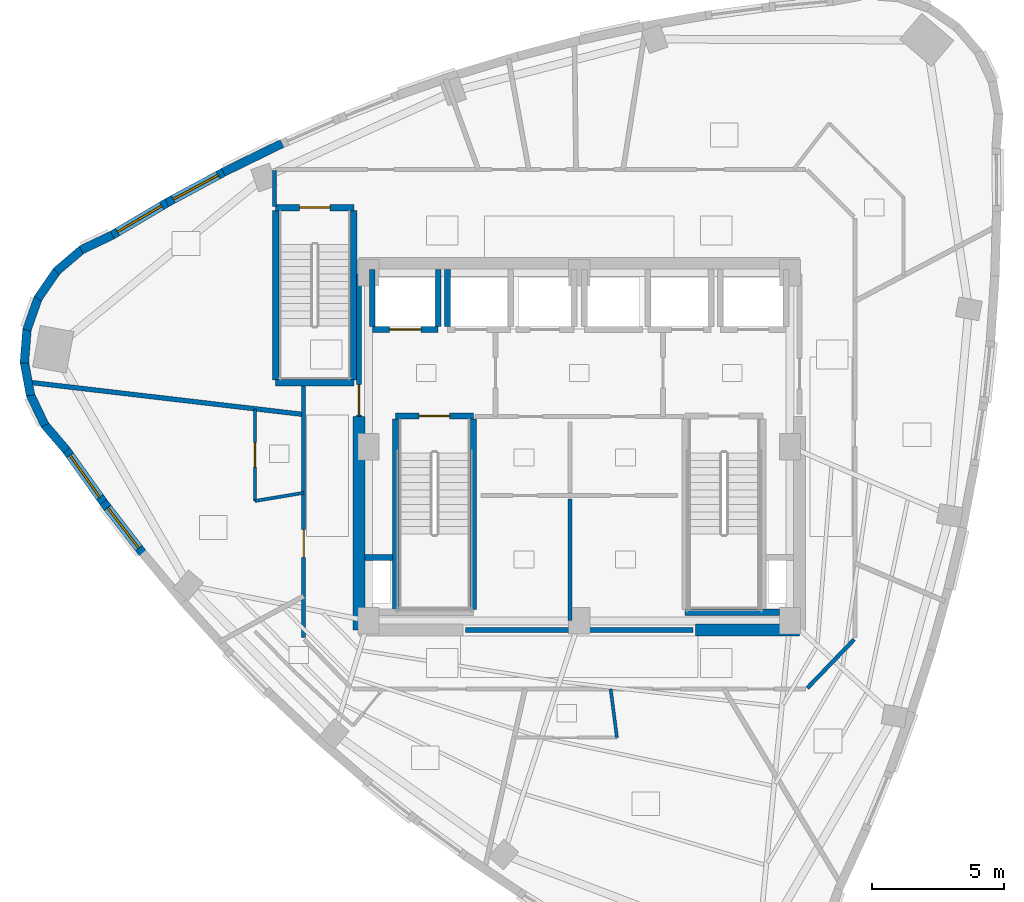
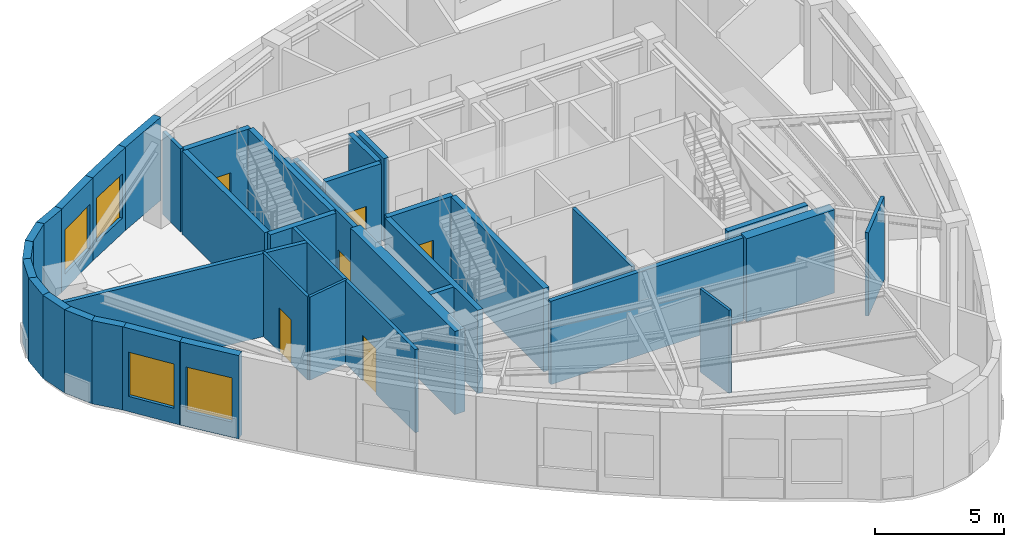
# One storey, part 3 of 9: 38 walls, 6 doors, 4 windows, 10 openings.
"""IFC4 building model written with IfcOpenShell, lengths in metres."""

from ifc_helpers import new_model, si_unit, direction, frame, frame_2d, origin, place, context, subcontext, project, spatial, rectangle, extrude, material, layer, layer_set, type_object, element, fill, save


model = new_model("IFC4")

# Units and contexts
model_context = context("Model", 3, precision=1e-05, world=origin(), true_north=direction((0.0, 1.0)))
body_context = subcontext(model_context, "Body", "Model", "MODEL_VIEW")
ifc_project = project(units=[si_unit("LENGTHUNIT", "METRE"), si_unit("AREAUNIT", "SQUARE_METRE"), si_unit("VOLUMEUNIT", "CUBIC_METRE"), si_unit("PLANEANGLEUNIT", "RADIAN"), si_unit("MASSUNIT", "GRAM", prefix="KILO")], contexts=[model_context])

# Site, building, storey
site_placement = place(None, origin())
site = spatial("IfcSite", under=ifc_project, at=site_placement, CompositionType="ELEMENT")
building_placement = place(site_placement, origin())
building = spatial("IfcBuilding", under=site, at=building_placement, Name="Ndelora Gate Hotel", CompositionType="ELEMENT")
storey_placement = place(building_placement, frame((0.0, 0.0, 260.199951171875)))
storey = spatial("IfcBuildingStorey", under=building, at=storey_placement, Name="L65", CompositionType="ELEMENT", Elevation=260.199951171875)

# Walls
ifc_material_1 = material(Name="Acoustic Double-Stud Gypsum Assembly", Category="gypsum")
ifc_layer_1 = layer(ifc_material_1, 0.179931640625)
ifc_layer_set_1 = layer_set([ifc_layer_1], Name="Acoustic Double-Stud Gypsum Assembly")
wall_type_1 = type_object("IfcWallType", Name="WL-ACOUST-180", PredefinedType="PARTITIONING", material=ifc_layer_set_1)
wall_1_placement = place(storey_placement, frame((-10.449951171875, 1.225830078125, 0.0), z_axis=(0.0, 0.0, 1.0), x_axis=(-0.993188711069, 0.116516883775, 0.0)))
element("IfcWall", 1, at=wall_1_placement, inside=storey, type_object=wall_type_1, Name="L65 Interior Wall IW-3", PredefinedType="PARTITIONING", context=body_context, shape_type="SweptSolid", body=[
    extrude(rectangle(XDim=10.52490234375, YDim=0.179931640625, at=frame_2d((5.262451171875, 0.0))), origin(), (0.0, 0.0, 1.0), 3.949951171875),
])
ifc_material_2 = material(Name="Clay Brick Masonry", Category="masonry")
ifc_layer_2 = layer(ifc_material_2, 0.330078125)
ifc_layer_set_2 = layer_set([ifc_layer_2], Name="Clay Brick Masonry")
wall_type_2 = type_object("IfcWallType", Name="WL-BRICK-330", PredefinedType="SOLIDWALL", material=ifc_layer_set_2)
for number, where, z_axis, x_axis, name in (
    (2, (-18.885498046875, 7.468505859375, 0.0), (0.0, 0.0, 1.0), (0.902555514619, 0.430573504794, 0.0), "L65 Tower Brick Pier-and-Spandrel Wall TWR-1"),
    (3, (-19.834716796875, 6.6494140625, 0.0), (0.0, 0.0, 1.0), (0.760392956728, 0.649463279453, 0.0), "L65 Tower Brick Pier-and-Spandrel Wall TWR-2"),
):
    element("IfcWall", number, at=place(storey_placement, frame(where, z_axis=z_axis, x_axis=x_axis)), inside=storey, type_object=wall_type_2, Name=name, PredefinedType="SOLIDWALL", context=body_context, shape_type="SweptSolid", body=[
        extrude(rectangle(XDim=1.302978515625, YDim=0.330078125, at=frame_2d((0.6513671875, 0.0))), origin(), (0.0, 0.0, 1.0), 3.949951171875),
    ])
for number, where, z_axis, x_axis, name in (
    (4, (-20.539794921875, 5.6123046875, 0.0), (0.0, 0.0, 1.0), (0.566489070283, 0.824069252703, 0.0), "L65 Tower Brick Pier-and-Spandrel Wall TWR-3"),
    (5, (-20.9521484375, 4.427978515625, 0.0), (0.0, 0.0, 1.0), (0.333819400431, 0.942637049927, 0.0), "L65 Tower Brick Pier-and-Spandrel Wall TWR-4"),
):
    element("IfcWall", number, at=place(storey_placement, frame(where, z_axis=z_axis, x_axis=x_axis)), inside=storey, type_object=wall_type_2, Name=name, PredefinedType="SOLIDWALL", context=body_context, shape_type="SweptSolid", body=[
        extrude(rectangle(XDim=1.30322265625, YDim=0.330078125, at=frame_2d((0.651611328125, 0.0))), origin(), (0.0, 0.0, 1.0), 3.949951171875),
    ])
wall_2_placement = place(storey_placement, frame((-21.044189453125, 3.177734375, 0.0), z_axis=(0.0, 0.0, 1.0), x_axis=(0.078516255123, 0.996912833542, 0.0)))
element("IfcWall", 6, at=wall_2_placement, inside=storey, type_object=wall_type_2, Name="L65 Tower Brick Pier-and-Spandrel Wall TWR-5", PredefinedType="SOLIDWALL", context=body_context, shape_type="SweptSolid", body=[
    extrude(rectangle(XDim=1.302734375, YDim=0.330078125, at=frame_2d((0.6513671875, 0.0))), origin(), (0.0, 0.0, 1.0), 3.949951171875),
])
for number, where, z_axis, x_axis, name in (
    (7, (-20.80908203125, 1.94580078125, 0.0), (0.0, 0.0, 1.0), (-0.182263659941, 0.983249692736, 0.0), "L65 Tower Brick Pier-and-Spandrel Wall TWR-6"),
    (8, (-20.263427734375, 0.81689453125, 0.0), (0.0, 0.0, 1.0), (-0.430653300408, 0.90251744296, 0.0), "L65 Tower Brick Pier-and-Spandrel Wall TWR-7"),
):
    element("IfcWall", number, at=place(storey_placement, frame(where, z_axis=z_axis, x_axis=x_axis)), inside=storey, type_object=wall_type_2, Name=name, PredefinedType="SOLIDWALL", context=body_context, shape_type="SweptSolid", body=[
        extrude(rectangle(XDim=1.30322265625, YDim=0.330078125, at=frame_2d((0.651611328125, 0.0))), origin(), (0.0, 0.0, 1.0), 3.949951171875),
    ])
wall_3_placement = place(storey_placement, frame((-19.4443359375, -0.13232421875, 0.0), z_axis=(0.0, 0.0, 1.0), x_axis=(-0.649463279453, 0.760392956728, 0.0)))
element("IfcWall", 9, at=wall_3_placement, inside=storey, type_object=wall_type_2, Name="L65 Tower Brick Pier-and-Spandrel Wall TWR-8", PredefinedType="SOLIDWALL", context=body_context, shape_type="SweptSolid", body=[
    extrude(rectangle(XDim=1.302978515625, YDim=0.330078125, at=frame_2d((0.6513671875, 0.0))), origin(), (0.0, 0.0, 1.0), 3.949951171875),
])

# Wall, opening, window
wall_4_placement = place(storey_placement, frame((-18.02197265625, -2.135498046875, 0.0), z_axis=(0.0, 0.0, 1.0), x_axis=(-0.579707768808, 0.814824461331, 0.0)))
wall_4 = element("IfcWall", 10, at=wall_4_placement, inside=storey, type_object=wall_type_2, Name="L65 Tower Brick Pier-and-Spandrel Wall TWR-9", PredefinedType="SOLIDWALL", context=body_context, shape_type="SweptSolid", body=[
    extrude(rectangle(XDim=2.506591796875, YDim=0.330078125, at=frame_2d((1.25341796875, 0.0))), origin(), (0.0, 0.0, 1.0), 3.949951171875),
])
opening_1_placement = place(wall_4_placement, frame((0.2783203125, 0.0, 0.719970703125)))
opening_1 = element("IfcOpeningElement", 11, at=opening_1_placement, cuts=wall_4, Name="Opening W08", PredefinedType="OPENING", context=body_context, shape_type="SweptSolid", body=[
    extrude(rectangle(XDim=1.949951171875, YDim=2.10009765625, at=frame_2d((0.97509765625, 1.050048828125))), frame((0.0, 0.175048828125, 0.0), z_axis=(0.0, -1.0, 0.0), x_axis=(1.0, 0.0, 0.0)), (0.0, 0.0, 1.0), 0.35009765625),
])
ifc_material_3 = material(Name="Insulated Low-E Double Glazing in Bronze Aluminium Frame", Category="aluminium")
window_type = type_object("IfcWindowType", Name="WN-PENT-2250", PartitioningType="SINGLE_PANEL", PredefinedType="WINDOW", material=ifc_material_3)
window_1_placement = place(opening_1_placement, origin())
window_1 = element("IfcWindow", 12, at=window_1_placement, inside=storey, type_object=window_type, Name="L65 Deep-Set Brick-Pier Window W08", OverallHeight=2.10009765625, OverallWidth=1.949951171875, PartitioningType="SINGLE_PANEL", PredefinedType="WINDOW", context=body_context, shape_type="SweptSolid", body=[
    extrude(rectangle(XDim=1.949951171875, YDim=2.10009765625, at=frame_2d((0.97509765625, 1.050048828125))), frame((0.0, 0.030029296875, 0.0), z_axis=(0.0, -1.0, 0.0), x_axis=(1.0, 0.0, 0.0)), (0.0, 0.0, 1.0), 0.06005859375),
])
fill(opening_1, window_1)

wall_5_placement = place(storey_placement, frame((-16.531982421875, -4.064453125, 0.0), z_axis=(0.0, 0.0, 1.0), x_axis=(-0.610966936387, 0.791656113879, 0.0)))
wall_5 = element("IfcWall", 13, at=wall_5_placement, inside=storey, type_object=wall_type_2, Name="L65 Tower Brick Pier-and-Spandrel Wall TWR-10", PredefinedType="SOLIDWALL", context=body_context, shape_type="SweptSolid", body=[
    extrude(rectangle(XDim=2.487548828125, YDim=0.330078125, at=frame_2d((1.24365234375, 0.0))), origin(), (0.0, 0.0, 1.0), 3.949951171875),
])
opening_2_placement = place(wall_5_placement, frame((0.278564453125, 0.0, 0.719970703125)))
opening_2 = element("IfcOpeningElement", 14, at=opening_2_placement, cuts=wall_5, Name="Opening W08", PredefinedType="OPENING", context=body_context, shape_type="SweptSolid", body=[
    extrude(rectangle(XDim=1.929931640625, YDim=2.10009765625, at=frame_2d((0.96484375, 1.050048828125))), frame((0.0, 0.175048828125, 0.0), z_axis=(0.0, -1.0, 0.0), x_axis=(1.0, 0.0, 0.0)), (0.0, 0.0, 1.0), 0.35009765625),
])
window_2_placement = place(opening_2_placement, origin())
window_2 = element("IfcWindow", 15, at=window_2_placement, inside=storey, type_object=window_type, Name="L65 Deep-Set Brick-Pier Window W08", OverallHeight=2.10009765625, OverallWidth=1.929931640625, PartitioningType="SINGLE_PANEL", PredefinedType="WINDOW", context=body_context, shape_type="SweptSolid", body=[
    extrude(rectangle(XDim=1.929931640625, YDim=2.10009765625, at=frame_2d((0.96484375, 1.050048828125))), frame((0.0, 0.030029296875, 0.0), z_axis=(0.0, -1.0, 0.0), x_axis=(1.0, 0.0, 0.0)), (0.0, 0.0, 1.0), 0.06005859375),
])
fill(opening_2, window_2)

# Wall
wall_6_placement = place(storey_placement, frame((-13.494140625, 10.414306640625, 0.0), z_axis=(0.0, 0.0, 1.0), x_axis=(0.898187681561, 0.43961220262, 0.0)))
element("IfcWall", 16, at=wall_6_placement, inside=storey, type_object=wall_type_2, Name="L65 Tower Brick Pier-and-Spandrel Wall TWR-58", PredefinedType="SOLIDWALL", context=body_context, shape_type="SweptSolid", body=[
    extrude(rectangle(XDim=2.471923828125, YDim=0.330078125, at=frame_2d((1.23583984375, 0.0))), origin(), (0.0, 0.0, 1.0), 3.949951171875),
])

# Wall, opening, window
wall_7_placement = place(storey_placement, frame((-15.638916015625, 9.25634765625, 0.0), z_axis=(0.0, 0.0, 1.0), x_axis=(0.880117873334, 0.474755230659, 0.0)))
wall_7 = element("IfcWall", 17, at=wall_7_placement, inside=storey, type_object=wall_type_2, Name="L65 Tower Brick Pier-and-Spandrel Wall TWR-59", PredefinedType="SOLIDWALL", context=body_context, shape_type="SweptSolid", body=[
    extrude(rectangle(XDim=2.4873046875, YDim=0.330078125, at=frame_2d((1.24365234375, 0.0))), origin(), (0.0, 0.0, 1.0), 3.949951171875),
])
opening_3_placement = place(wall_7_placement, frame((0.27880859375, 0.0, 0.719970703125)))
opening_3 = element("IfcOpeningElement", 18, at=opening_3_placement, cuts=wall_7, Name="Opening W08", PredefinedType="OPENING", context=body_context, shape_type="SweptSolid", body=[
    extrude(rectangle(XDim=1.929931640625, YDim=2.10009765625, at=frame_2d((0.96484375, 1.050048828125))), frame((0.0, 0.175048828125, 0.0), z_axis=(0.0, -1.0, 0.0), x_axis=(1.0, 0.0, 0.0)), (0.0, 0.0, 1.0), 0.35009765625),
])
window_3_placement = place(opening_3_placement, origin())
window_3 = element("IfcWindow", 19, at=window_3_placement, inside=storey, type_object=window_type, Name="L65 Deep-Set Brick-Pier Window W08", OverallHeight=2.10009765625, OverallWidth=1.929931640625, PartitioningType="SINGLE_PANEL", PredefinedType="WINDOW", context=body_context, shape_type="SweptSolid", body=[
    extrude(rectangle(XDim=1.929931640625, YDim=2.10009765625, at=frame_2d((0.96484375, 1.050048828125))), frame((0.0, 0.030029296875, 0.0), z_axis=(0.0, -1.0, 0.0), x_axis=(1.0, 0.0, 0.0)), (0.0, 0.0, 1.0), 0.06005859375),
])
fill(opening_3, window_3)

wall_8_placement = place(storey_placement, frame((-17.75341796875, 8.006103515625, 0.0), z_axis=(0.0, 0.0, 1.0), x_axis=(0.860971125789, 0.508653831754, 0.0)))
wall_8 = element("IfcWall", 20, at=wall_8_placement, inside=storey, type_object=wall_type_2, Name="L65 Tower Brick Pier-and-Spandrel Wall TWR-60", PredefinedType="SOLIDWALL", context=body_context, shape_type="SweptSolid", body=[
    extrude(rectangle(XDim=2.50634765625, YDim=0.330078125, at=frame_2d((1.253173828125, 0.0))), origin(), (0.0, 0.0, 1.0), 3.949951171875),
])
opening_4_placement = place(wall_8_placement, frame((0.2783203125, 0.0, 0.719970703125)))
opening_4 = element("IfcOpeningElement", 21, at=opening_4_placement, cuts=wall_8, Name="Opening W08", PredefinedType="OPENING", context=body_context, shape_type="SweptSolid", body=[
    extrude(rectangle(XDim=1.949951171875, YDim=2.10009765625, at=frame_2d((0.97509765625, 1.050048828125))), frame((0.0, 0.175048828125, 0.0), z_axis=(0.0, -1.0, 0.0), x_axis=(1.0, 0.0, 0.0)), (0.0, 0.0, 1.0), 0.35009765625),
])
window_4_placement = place(opening_4_placement, origin())
window_4 = element("IfcWindow", 22, at=window_4_placement, inside=storey, type_object=window_type, Name="L65 Deep-Set Brick-Pier Window W08", OverallHeight=2.10009765625, OverallWidth=1.949951171875, PartitioningType="SINGLE_PANEL", PredefinedType="WINDOW", context=body_context, shape_type="SweptSolid", body=[
    extrude(rectangle(XDim=1.949951171875, YDim=2.10009765625, at=frame_2d((0.97509765625, 1.050048828125))), frame((0.0, 0.030029296875, 0.0), z_axis=(0.0, -1.0, 0.0), x_axis=(1.0, 0.0, 0.0)), (0.0, 0.0, 1.0), 0.06005859375),
])
fill(opening_4, window_4)

# Walls
ifc_material_4 = material(Name="Concrete C50/60", Category="concrete")
ifc_layer_3 = layer(ifc_material_4, 0.449951171875)
ifc_layer_set_3 = layer_set([ifc_layer_3], Name="Concrete C50/60")
wall_type_3 = type_object("IfcWallType", Name="WL-CORE-450", PredefinedType="SHEAR", material=ifc_layer_set_3)
wall_9_placement = place(storey_placement, frame((4.39990234375, -6.949951171875, 0.0), z_axis=(0.0, 0.0, 1.0), x_axis=(1.0, 0.0, 0.0)))
element("IfcWall", 23, at=wall_9_placement, inside=storey, type_object=wall_type_3, Name="L65 Core Shear Wall S-E", PredefinedType="SHEAR", context=body_context, shape_type="SweptSolid", body=[
    extrude(rectangle(XDim=3.9501953125, YDim=0.449951171875, at=frame_2d((1.97509765625, 0.0))), origin(), (0.0, 0.0, 1.0), 3.949951171875),
])
wall_10_placement = place(storey_placement, frame((-8.35009765625, -6.949951171875, 0.0), z_axis=(0.0, 0.0, 1.0), x_axis=(0.0, 1.0, 0.0)))
element("IfcWall", 24, at=wall_10_placement, inside=storey, type_object=wall_type_3, Name="L65 Core Shear Wall W", PredefinedType="SHEAR", context=body_context, shape_type="SweptSolid", body=[
    extrude(rectangle(XDim=8.099853515625, YDim=0.449951171875, at=frame_2d((4.0498046875, 0.0))), origin(), (0.0, 0.0, 1.0), 3.949951171875),
])

# Wall, opening, door
ifc_material_5 = material(Name="Concrete C40/50", Category="concrete")
ifc_layer_4 = layer(ifc_material_5, 0.199951171875)
ifc_layer_set_4 = layer_set([ifc_layer_4], Name="Concrete C40/50")
wall_type_4 = type_object("IfcWallType", Name="WL-FIRE-200", PredefinedType="PARTITIONING", material=ifc_layer_set_4)
wall_11_placement = place(storey_placement, frame((-8.35009765625, 1.14990234375, 0.0), z_axis=(0.0, 0.0, 1.0), x_axis=(0.0, 1.0, 0.0)))
wall_11 = element("IfcWall", 25, at=wall_11_placement, inside=storey, type_object=wall_type_4, Name="L65 Interior Wall IW-2", PredefinedType="PARTITIONING", context=body_context, shape_type="SweptSolid", body=[
    extrude(rectangle(XDim=5.400146484375, YDim=0.199951171875, at=frame_2d((2.7001953125, 0.0))), origin(), (0.0, 0.0, 1.0), 3.949951171875),
])
opening_5_placement = place(wall_11_placement, frame((0.06005859375, 0.0, 0.0)))
opening_5 = element("IfcOpeningElement", 26, at=opening_5_placement, cuts=wall_11, Name="Opening FD1", PredefinedType="OPENING", context=body_context, shape_type="SweptSolid", body=[
    extrude(rectangle(XDim=1.14990234375, YDim=2.14990234375, at=frame_2d((0.574951171875, 1.074951171875))), frame((0.0, 0.10986328125, 0.0), z_axis=(0.0, -1.0, 0.0), x_axis=(1.0, 0.0, 0.0)), (0.0, 0.0, 1.0), 0.219970703125),
])
ifc_material_6 = material(Name="Fire-Rated Timber-Veneer Steel Core", Category="steel")
door_type_1 = type_object("IfcDoorType", Name="DR-FD60", OperationType="SINGLE_SWING_LEFT", PredefinedType="DOOR", material=ifc_material_6)
door_1_placement = place(opening_5_placement, origin())
door_1 = element("IfcDoor", 27, at=door_1_placement, inside=storey, type_object=door_type_1, Name="L65 Firefighting Lobby West Corridor Door", OperationType="SINGLE_SWING_LEFT", OverallHeight=2.14990234375, OverallWidth=1.14990234375, PredefinedType="DOOR", context=body_context, shape_type="SweptSolid", body=[
    extrude(rectangle(XDim=1.14990234375, YDim=2.14990234375, at=frame_2d((0.574951171875, 1.074951171875))), frame((0.0, 0.02490234375, 0.0), z_axis=(0.0, -1.0, 0.0), x_axis=(1.0, 0.0, 0.0)), (0.0, 0.0, 1.0), 0.050048828125),
])
fill(opening_5, door_1)

# Walls
wall_12_placement = place(storey_placement, frame((-4.320068359375, -6.949951171875, 0.0), z_axis=(0.0, 0.0, 1.0), x_axis=(1.0, 0.0, 0.0)))
element("IfcWall", 28, at=wall_12_placement, inside=storey, type_object=wall_type_4, Name="L65 Interior Wall IW-2", PredefinedType="PARTITIONING", context=body_context, shape_type="SweptSolid", body=[
    extrude(rectangle(XDim=8.64013671875, YDim=0.199951171875, at=frame_2d((4.320068359375, 0.0))), origin(), (0.0, 0.0, 1.0), 3.949951171875),
])
ifc_material_7 = material(Name="Fire-Rated Gypsum Stud Partition", Category="gypsum")
ifc_layer_5 = layer(ifc_material_7, 0.14990234375)
ifc_layer_set_5 = layer_set([ifc_layer_5], Name="Fire-Rated Gypsum Stud Partition")
wall_type_5 = type_object("IfcWallType", Name="WL-PART-150", PredefinedType="PARTITIONING", material=ifc_layer_set_5)
wall_13_placement = place(storey_placement, frame((-0.35009765625, -6.580078125, 0.0), z_axis=(0.0, 0.0, 1.0), x_axis=(0.0, 1.0, 0.0)))
element("IfcWall", 29, at=wall_13_placement, inside=storey, type_object=wall_type_5, Name="L65 Interior Wall IW-5", PredefinedType="PARTITIONING", context=body_context, shape_type="SweptSolid", body=[
    extrude(rectangle(XDim=4.610107421875, YDim=0.14990234375, at=frame_2d((2.30517578125, 0.0))), origin(), (0.0, 0.0, 1.0), 3.949951171875),
])
wall_14_placement = place(storey_placement, frame((10.42236328125, -7.308837890625, 0.0), z_axis=(0.0, 0.0, 1.0), x_axis=(-0.693764562202, -0.720201869085, 0.0)))
element("IfcWall", 30, at=wall_14_placement, inside=storey, type_object=wall_type_5, Name="L65 Interior Wall IW-5", PredefinedType="PARTITIONING", context=body_context, shape_type="SweptSolid", body=[
    extrude(rectangle(XDim=2.55810546875, YDim=0.14990234375, at=frame_2d((1.279052734375, 0.0))), origin(), (0.0, 0.0, 1.0), 3.949951171875),
])
wall_15_placement = place(storey_placement, frame((-11.550048828125, 9.110107421875, 0.0), z_axis=(0.0, 0.0, 1.0), x_axis=(0.0, 1.0, 0.0)))
element("IfcWall", 31, at=wall_15_placement, inside=storey, type_object=wall_type_5, Name="L65 Interior Wall IW-5", PredefinedType="PARTITIONING", context=body_context, shape_type="SweptSolid", body=[
    extrude(rectangle(XDim=1.369873046875, YDim=0.14990234375, at=frame_2d((0.68505859375, 0.0))), origin(), (0.0, 0.0, 1.0), 3.949951171875),
])

# Wall, opening, door
wall_16_placement = place(storey_placement, frame((-10.449951171875, -7.239990234375, 0.0), z_axis=(0.0, 0.0, 1.0), x_axis=(0.0, 1.0, 0.0)))
wall_16 = element("IfcWall", 32, at=wall_16_placement, inside=storey, type_object=wall_type_5, Name="L65 Interior Wall IW-5", PredefinedType="PARTITIONING", context=body_context, shape_type="SweptSolid", body=[
    extrude(rectangle(XDim=9.6298828125, YDim=0.14990234375, at=frame_2d((4.81494140625, 0.0))), origin(), (0.0, 0.0, 1.0), 3.949951171875),
])
opening_6_placement = place(wall_16_placement, frame((3.043212890625, 0.0, 0.0)))
opening_6 = element("IfcOpeningElement", 33, at=opening_6_placement, cuts=wall_16, Name="Opening D07", PredefinedType="OPENING", context=body_context, shape_type="SweptSolid", body=[
    extrude(rectangle(XDim=1.06005859375, YDim=2.14990234375, at=frame_2d((0.530029296875, 1.074951171875))), frame((0.0, 0.0849609375, 0.0), z_axis=(0.0, -1.0, 0.0), x_axis=(1.0, 0.0, 0.0)), (0.0, 0.0, 1.0), 0.169921875),
])
ifc_material_8 = material(Name="Diplomatic Suite Acoustic Entrance Door", Category="wood")
door_type_2 = type_object("IfcDoorType", Name="DR-SUITE-1060", OperationType="SINGLE_SWING_LEFT", PredefinedType="DOOR", material=ifc_material_8)
door_2_placement = place(opening_6_placement, origin())
door_2 = element("IfcDoor", 34, at=door_2_placement, inside=storey, type_object=door_type_2, Name="L65 Crown Summit Suite 6801 Entrance Door", OperationType="SINGLE_SWING_LEFT", OverallHeight=2.14990234375, OverallWidth=1.06005859375, PredefinedType="DOOR", context=body_context, shape_type="SweptSolid", body=[
    extrude(rectangle(XDim=1.06005859375, YDim=2.14990234375, at=frame_2d((0.530029296875, 1.074951171875))), frame((0.0, 0.02490234375, 0.0), z_axis=(0.0, -1.0, 0.0), x_axis=(1.0, 0.0, 0.0)), (0.0, 0.0, 1.0), 0.050048828125),
])
fill(opening_6, door_2)

# Wall
ifc_layer_6 = layer(ifc_material_5, 0.219970703125)
ifc_layer_set_6 = layer_set([ifc_layer_6], Name="Concrete C40/50")
wall_type_6 = type_object("IfcWallType", Name="WL-SHAFT-220", PredefinedType="PARTITIONING", material=ifc_layer_set_6)
wall_17_placement = place(storey_placement, frame((-8.125, -4.199951171875, 0.0), z_axis=(0.0, 0.0, 1.0), x_axis=(1.0, 0.0, 0.0)))
element("IfcWall", 35, at=wall_17_placement, inside=storey, type_object=wall_type_6, Name="L65 Interior Wall IW-1", PredefinedType="PARTITIONING", context=body_context, shape_type="SweptSolid", body=[
    extrude(rectangle(XDim=1.034912109375, YDim=0.219970703125, at=frame_2d((0.517578125, 0.0))), origin(), (0.0, 0.0, 1.0), 3.949951171875),
])

# Wall, opening, door
wall_18_placement = place(storey_placement, frame((-7.85009765625, 4.449951171875, 0.0), z_axis=(0.0, 0.0, 1.0), x_axis=(1.0, 0.0, 0.0)))
wall_18 = element("IfcWall", 36, at=wall_18_placement, inside=storey, type_object=wall_type_6, Name="L65 Interior Wall IW-1", PredefinedType="PARTITIONING", context=body_context, shape_type="SweptSolid", body=[
    extrude(rectangle(XDim=2.5, YDim=0.219970703125, at=frame_2d((1.25, 0.0))), origin(), (0.0, 0.0, 1.0), 3.949951171875),
])
opening_7_placement = place(wall_18_placement, frame((0.659912109375, 0.0, 0.0)))
opening_7 = element("IfcOpeningElement", 37, at=opening_7_placement, cuts=wall_18, Name="Opening LD5", PredefinedType="OPENING", context=body_context, shape_type="SweptSolid", body=[
    extrude(rectangle(XDim=1.179931640625, YDim=2.14990234375, at=frame_2d((0.58984375, 1.074951171875))), frame((0.0, 0.1201171875, 0.0), z_axis=(0.0, -1.0, 0.0), x_axis=(1.0, 0.0, 0.0)), (0.0, 0.0, 1.0), 0.239990234375),
])
ifc_material_9 = material(Name="Firefighting Lift Stainless Sliding Landing Door", Category="metal")
door_type_3 = type_object("IfcDoorType", Name="DR-LD5", OperationType="DOUBLE_DOOR_SLIDING", PredefinedType="DOOR", material=ifc_material_9)
door_3_placement = place(opening_7_placement, origin())
door_3 = element("IfcDoor", 38, at=door_3_placement, inside=storey, type_object=door_type_3, Name="L65 Lift Landing Sliding Door FFL1", OperationType="DOUBLE_DOOR_SLIDING", OverallHeight=2.14990234375, OverallWidth=1.179931640625, PredefinedType="DOOR", context=body_context, shape_type="SweptSolid", body=[
    extrude(rectangle(XDim=1.179931640625, YDim=2.14990234375, at=frame_2d((0.58984375, 1.074951171875))), frame((0.0, 0.02490234375, 0.0), z_axis=(0.0, -1.0, 0.0), x_axis=(1.0, 0.0, 0.0)), (0.0, 0.0, 1.0), 0.050048828125),
])
fill(opening_7, door_3)

# Walls
wall_19_placement = place(storey_placement, frame((-7.85009765625, 4.570068359375, 0.0), z_axis=(0.0, 0.0, 1.0), x_axis=(0.0, 1.0, 0.0)))
element("IfcWall", 39, at=wall_19_placement, inside=storey, type_object=wall_type_6, Name="L65 Interior Wall IW-1", PredefinedType="PARTITIONING", context=body_context, shape_type="SweptSolid", body=[
    extrude(rectangle(XDim=2.155029296875, YDim=0.219970703125, at=frame_2d((1.07763671875, 0.0))), origin(), (0.0, 0.0, 1.0), 3.630126953125),
])
for number, where, z_axis, x_axis, name in (
    (40, (-5.35009765625, 4.570068359375, 0.0), (0.0, 0.0, 1.0), (0.0, 1.0, 0.0), "L65 Interior Wall IW-1"),
    (41, (-5.0, 4.570068359375, 0.0), (0.0, 0.0, 1.0), (0.0, 1.0, 0.0), "L65 Interior Wall IW-1"),
):
    element("IfcWall", number, at=place(storey_placement, frame(where, z_axis=z_axis, x_axis=x_axis)), inside=storey, type_object=wall_type_6, Name=name, PredefinedType="PARTITIONING", context=body_context, shape_type="SweptSolid", body=[
        extrude(rectangle(XDim=2.155029296875, YDim=0.219970703125, at=frame_2d((1.07763671875, 0.0))), origin(), (0.0, 0.0, 1.0), 3.949951171875),
    ])
ifc_layer_7 = layer(ifc_material_4, 0.239990234375)
ifc_layer_set_7 = layer_set([ifc_layer_7], Name="Concrete C50/60")
wall_type_7 = type_object("IfcWallType", Name="WL-STAIR-240", PredefinedType="SHEAR", material=ifc_layer_set_7)
for number, where, z_axis, x_axis, name in (
    (42, (-6.969970703125, -6.159912109375, 0.0), (0.0, 0.0, 1.0), (0.0, 1.0, 0.0), "L65 Stair Core Shear Wall SW-ST"),
    (43, (-4.010009765625, -6.159912109375, 0.0), (0.0, 0.0, 1.0), (0.0, 1.0, 0.0), "L65 Stair Core Shear Wall SW-ST"),
):
    element("IfcWall", number, at=place(storey_placement, frame(where, z_axis=z_axis, x_axis=x_axis)), inside=storey, type_object=wall_type_7, Name=name, PredefinedType="SHEAR", context=body_context, shape_type="SweptSolid", body=[
        extrude(rectangle(XDim=7.219970703125, YDim=0.239990234375, at=frame_2d((3.60986328125, 0.0))), origin(), (0.0, 0.0, 1.0), 3.949951171875),
    ])

# Wall, opening, door
wall_20_placement = place(storey_placement, frame((-6.969970703125, 1.169921875, 0.0), z_axis=(0.0, 0.0, 1.0), x_axis=(1.0, 0.0, 0.0)))
wall_20 = element("IfcWall", 44, at=wall_20_placement, inside=storey, type_object=wall_type_7, Name="L65 Stair Core Shear Wall SW-ST", PredefinedType="SHEAR", context=body_context, shape_type="SweptSolid", body=[
    extrude(rectangle(XDim=2.9599609375, YDim=0.239990234375, at=frame_2d((1.47998046875, 0.0))), origin(), (0.0, 0.0, 1.0), 3.949951171875),
])
opening_8_placement = place(wall_20_placement, frame((0.89990234375, 0.0, 0.0)))
opening_8 = element("IfcOpeningElement", 45, at=opening_8_placement, cuts=wall_20, Name="Opening FD1", PredefinedType="OPENING", context=body_context, shape_type="SweptSolid", body=[
    extrude(rectangle(XDim=1.14990234375, YDim=2.14990234375, at=frame_2d((0.574951171875, 1.074951171875))), frame((0.0, 0.1298828125, 0.0), z_axis=(0.0, -1.0, 0.0), x_axis=(1.0, 0.0, 0.0)), (0.0, 0.0, 1.0), 0.260009765625),
])
door_4_placement = place(opening_8_placement, origin())
door_4 = element("IfcDoor", 46, at=door_4_placement, inside=storey, type_object=door_type_1, Name="L65 Exit Stair ST4 Door", OperationType="SINGLE_SWING_LEFT", OverallHeight=2.14990234375, OverallWidth=1.14990234375, PredefinedType="DOOR", context=body_context, shape_type="SweptSolid", body=[
    extrude(rectangle(XDim=1.14990234375, YDim=2.14990234375, at=frame_2d((0.574951171875, 1.074951171875))), frame((0.0, 0.02490234375, 0.0), z_axis=(0.0, -1.0, 0.0), x_axis=(1.0, 0.0, 0.0)), (0.0, 0.0, 1.0), 0.050048828125),
])
fill(opening_8, door_4)

# Walls
wall_21_placement = place(storey_placement, frame((4.010009765625, -6.27001953125, 0.0), z_axis=(0.0, 0.0, 1.0), x_axis=(1.0, 0.0, 0.0)))
element("IfcWall", 47, at=wall_21_placement, inside=storey, type_object=wall_type_7, Name="L65 Stair Core Shear Wall SW-ST", PredefinedType="SHEAR", context=body_context, shape_type="SweptSolid", body=[
    extrude(rectangle(XDim=3.590087890625, YDim=0.239990234375, at=frame_2d((1.794921875, 0.0))), origin(), (0.0, 0.0, 1.0), 3.949951171875),
])
wall_22_placement = place(storey_placement, frame((-11.510009765625, 2.5400390625, 0.0), z_axis=(0.0, 0.0, 1.0), x_axis=(0.0, 1.0, 0.0)))
element("IfcWall", 48, at=wall_22_placement, inside=storey, type_object=wall_type_7, Name="L65 Stair Core Shear Wall SW-ST", PredefinedType="SHEAR", context=body_context, shape_type="SweptSolid", body=[
    extrude(rectangle(XDim=6.419921875, YDim=0.239990234375, at=frame_2d((3.2099609375, 0.0))), origin(), (0.0, 0.0, 1.0), 3.949951171875),
])
wall_23_placement = place(storey_placement, frame((-11.510009765625, 2.429931640625, 0.0), z_axis=(0.0, 0.0, 1.0), x_axis=(1.0, 0.0, 0.0)))
element("IfcWall", 49, at=wall_23_placement, inside=storey, type_object=wall_type_7, Name="L65 Stair Core Shear Wall SW-ST", PredefinedType="SHEAR", context=body_context, shape_type="SweptSolid", body=[
    extrude(rectangle(XDim=2.9599609375, YDim=0.239990234375, at=frame_2d((1.47998046875, 0.0))), origin(), (0.0, 0.0, 1.0), 3.949951171875),
])
wall_24_placement = place(storey_placement, frame((-8.550048828125, 2.5400390625, 0.0), z_axis=(0.0, 0.0, 1.0), x_axis=(0.0, 1.0, 0.0)))
element("IfcWall", 50, at=wall_24_placement, inside=storey, type_object=wall_type_7, Name="L65 Stair Core Shear Wall SW-ST", PredefinedType="SHEAR", context=body_context, shape_type="SweptSolid", body=[
    extrude(rectangle(XDim=6.419921875, YDim=0.239990234375, at=frame_2d((3.2099609375, 0.0))), origin(), (0.0, 0.0, 1.0), 3.949951171875),
])

# Wall, opening, door
wall_25_placement = place(storey_placement, frame((-8.550048828125, 9.070068359375, 0.0), z_axis=(0.0, 0.0, 1.0), x_axis=(-1.0, 0.0, 0.0)))
wall_25 = element("IfcWall", 51, at=wall_25_placement, inside=storey, type_object=wall_type_7, Name="L65 Stair Core Shear Wall SW-ST", PredefinedType="SHEAR", context=body_context, shape_type="SweptSolid", body=[
    extrude(rectangle(XDim=2.9599609375, YDim=0.239990234375, at=frame_2d((1.47998046875, 0.0))), origin(), (0.0, 0.0, 1.0), 3.949951171875),
])
opening_9_placement = place(wall_25_placement, frame((0.89990234375, 0.0, 0.0)))
opening_9 = element("IfcOpeningElement", 52, at=opening_9_placement, cuts=wall_25, Name="Opening FD1", PredefinedType="OPENING", context=body_context, shape_type="SweptSolid", body=[
    extrude(rectangle(XDim=1.14990234375, YDim=2.14990234375, at=frame_2d((0.574951171875, 1.074951171875))), frame((0.0, 0.1298828125, 0.0), z_axis=(0.0, -1.0, 0.0), x_axis=(1.0, 0.0, 0.0)), (0.0, 0.0, 1.0), 0.260009765625),
])
door_5_placement = place(opening_9_placement, origin())
door_5 = element("IfcDoor", 53, at=door_5_placement, inside=storey, type_object=door_type_1, Name="L65 Stair ST6 Door", OperationType="SINGLE_SWING_LEFT", OverallHeight=2.14990234375, OverallWidth=1.14990234375, PredefinedType="DOOR", context=body_context, shape_type="SweptSolid", body=[
    extrude(rectangle(XDim=1.14990234375, YDim=2.14990234375, at=frame_2d((0.574951171875, 1.074951171875))), frame((0.0, 0.02490234375, 0.0), z_axis=(0.0, -1.0, 0.0), x_axis=(1.0, 0.0, 0.0)), (0.0, 0.0, 1.0), 0.050048828125),
])
fill(opening_9, door_5)

# Wall
ifc_material_10 = material(Name="Moisture-Resistant Bathroom Tile Partition", Category="gypsum")
ifc_layer_8 = layer(ifc_material_10, 0.1201171875)
ifc_layer_set_8 = layer_set([ifc_layer_8], Name="Moisture-Resistant Bathroom Tile Partition")
wall_type_8 = type_object("IfcWallType", Name="WL-WET-120", PredefinedType="PARTITIONING", material=ifc_layer_set_8)
wall_26_placement = place(storey_placement, frame((-12.300048828125, -2.053955078125, 0.0), z_axis=(0.0, 0.0, 1.0), x_axis=(0.986351677294, 0.164652266004, 0.0)))
element("IfcWall", 54, at=wall_26_placement, inside=storey, type_object=wall_type_8, Name="L65 Interior Wall IW-7", PredefinedType="PARTITIONING", context=body_context, shape_type="SweptSolid", body=[
    extrude(rectangle(XDim=1.875732421875, YDim=0.1201171875, at=frame_2d((0.93798828125, 0.0))), origin(), (0.0, 0.0, 1.0), 3.949951171875),
])

# Wall, opening, door
wall_27_placement = place(storey_placement, frame((-12.300048828125, -2.053955078125, 0.0), z_axis=(0.0, 0.0, 1.0), x_axis=(0.0, 1.0, 0.0)))
wall_27 = element("IfcWall", 55, at=wall_27_placement, inside=storey, type_object=wall_type_8, Name="L65 Interior Wall IW-7", PredefinedType="PARTITIONING", context=body_context, shape_type="SweptSolid", body=[
    extrude(rectangle(XDim=3.496826171875, YDim=0.1201171875, at=frame_2d((1.74853515625, 0.0))), origin(), (0.0, 0.0, 1.0), 3.949951171875),
])
opening_10_placement = place(wall_27_placement, frame((1.288330078125, 0.0, 0.0)))
opening_10 = element("IfcOpeningElement", 56, at=opening_10_placement, cuts=wall_27, Name="Opening D03", PredefinedType="OPENING", context=body_context, shape_type="SweptSolid", body=[
    extrude(rectangle(XDim=0.919921875, YDim=2.10009765625, at=frame_2d((0.4599609375, 1.050048828125))), frame((0.0, 0.070068359375, 0.0), z_axis=(0.0, -1.0, 0.0), x_axis=(1.0, 0.0, 0.0)), (0.0, 0.0, 1.0), 0.14013671875),
])
ifc_material_11 = material(Name="Moisture-Resistant Hardwood En-Suite Door", Category="wood")
door_type_4 = type_object("IfcDoorType", Name="DR-BATH-920", OperationType="SINGLE_SWING_LEFT", PredefinedType="DOOR", material=ifc_material_11)
door_6_placement = place(opening_10_placement, origin())
door_6 = element("IfcDoor", 57, at=door_6_placement, inside=storey, type_object=door_type_4, Name="L65 En-suite Bathroom 6801 Door", OperationType="SINGLE_SWING_RIGHT", OverallHeight=2.10009765625, OverallWidth=0.919921875, PredefinedType="DOOR", context=body_context, shape_type="SweptSolid", body=[
    extrude(rectangle(XDim=0.919921875, YDim=2.10009765625, at=frame_2d((0.4599609375, 1.050048828125))), frame((0.0, 0.02490234375, 0.0), z_axis=(0.0, -1.0, 0.0), x_axis=(1.0, 0.0, 0.0)), (0.0, 0.0, 1.0), 0.050048828125),
])
fill(opening_10, door_6)

# Wall
wall_28_placement = place(storey_placement, frame((1.190185546875, -9.179931640625, 0.0), z_axis=(0.0, 0.0, 1.0), x_axis=(0.128639829388, -0.991691380569, 0.0)))
element("IfcWall", 58, at=wall_28_placement, inside=storey, type_object=wall_type_8, Name="L65 Interior Wall IW-7", PredefinedType="PARTITIONING", context=body_context, shape_type="SweptSolid", body=[
    extrude(rectangle(XDim=1.865478515625, YDim=0.1201171875, at=frame_2d((0.9326171875, 0.0))), origin(), (0.0, 0.0, 1.0), 3.949951171875),
])

save(model, "model.ifc")
